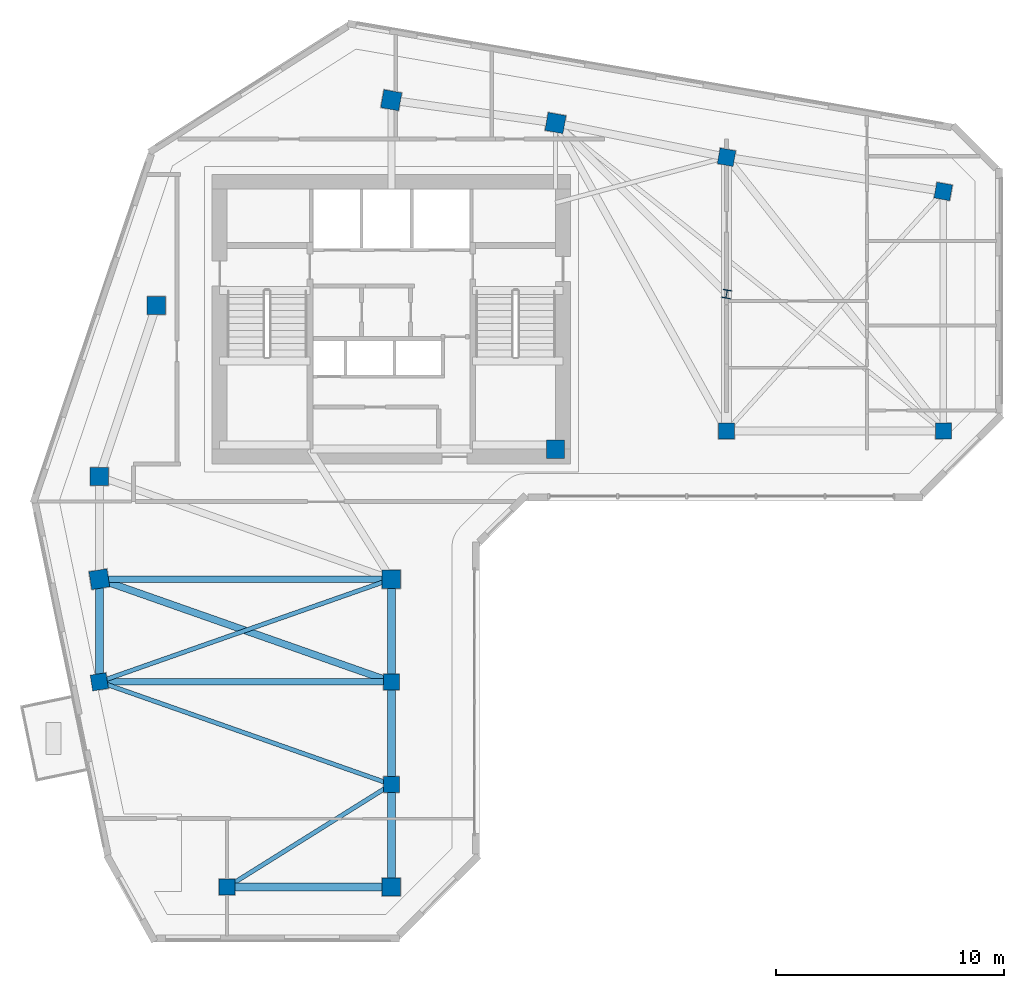
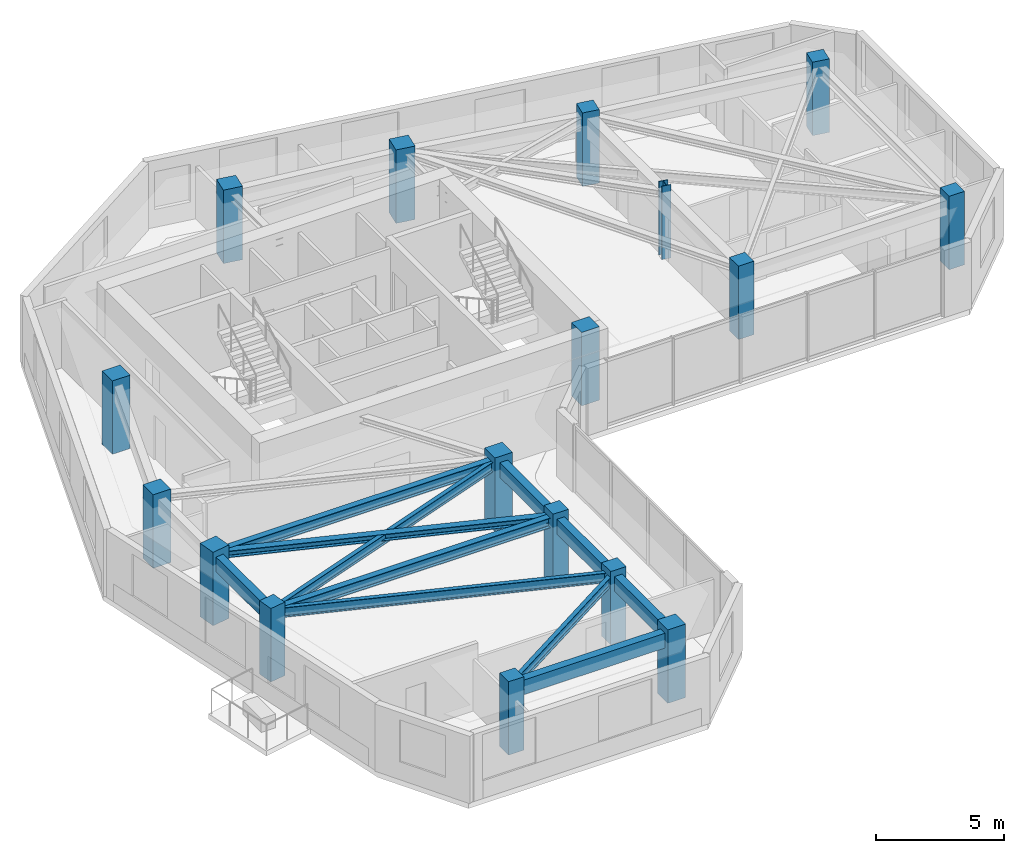
# One storey, part 1 of 10: 17 columns, 11 beams.
"""IFC4 building model written with IfcOpenShell, lengths in metres."""

from ifc_helpers import new_model, si_unit, direction, frame, origin, origin_2d, place, context, subcontext, project, spatial, rectangle, i_section, extrude, source, transform, mapped, material, material_profile, profile_set, type_object, element, save


model = new_model("IFC4")

# Units and contexts
model_context = context("Model", 3, precision=1e-05, world=origin(), true_north=direction((0.0, 1.0)))
body_context = subcontext(model_context, "Body", "Model", "MODEL_VIEW")
ifc_project = project(units=[si_unit("LENGTHUNIT", "METRE"), si_unit("AREAUNIT", "SQUARE_METRE"), si_unit("VOLUMEUNIT", "CUBIC_METRE"), si_unit("PLANEANGLEUNIT", "RADIAN"), si_unit("MASSUNIT", "GRAM", prefix="KILO")], contexts=[model_context])

# Site, building, storey
site_placement = place(None, origin())
site = spatial("IfcSite", under=ifc_project, at=site_placement, CompositionType="ELEMENT")
building_placement = place(site_placement, origin())
building = spatial("IfcBuilding", under=site, at=building_placement, Name="Calvemar Wedge Station Tower", CompositionType="ELEMENT")
storey_placement = place(building_placement, frame((0.0, 0.0, 207.89990234375)))
storey = spatial("IfcBuildingStorey", under=building, at=storey_placement, Name="L52", CompositionType="ELEMENT", Elevation=207.89990234375)

# Columns
ifc_material_1 = material(Name="Concrete C50", Category="concrete")
ifc_material_profile_1 = material_profile(ifc_material_1, rectangle(XDim=0.800048828125, YDim=0.800048828125, at=origin_2d()), Name="RC800x800")
ifc_profile_set_1 = profile_set([ifc_material_profile_1], Name="Concrete C50")
column_type_1 = type_object("IfcColumnType", Name="COL-C6-800", PredefinedType="COLUMN", material=ifc_profile_set_1)
shared_shape_1 = source(origin(), body_context, "Body", "SweptSolid", [
    extrude(rectangle(XDim=0.800048828125, YDim=0.800048828125, at=origin_2d()), origin(), (0.0, 0.0, 1.0), 3.5),
])
for number, where, z_axis, x_axis, name in (
    (1, (11.0, 33.0, 0.0), (0.0, 0.0, 1.0), (1.0, 0.0, 0.0), "Storey L52 Column T-NW1"),
    (2, (13.5, 40.5, 0.0), (0.0, 0.0, 1.0), (1.0, 0.0, 0.0), "Storey L52 Column T-NW2"),
    (3, (23.800048828125, 49.5, 0.0), (0.0, 0.0, 1.0), (0.984195607969, -0.17708474032, 0.0), "Storey L52 Column T-N1"),
    (4, (31.0, 48.5, 0.0), (0.0, 0.0, 1.0), (0.984195607969, -0.17708474032, 0.0), "Storey L52 Column T-N2"),
    (5, (31.0, 34.199951171875, 0.0), (0.0, 0.0, 1.0), (1.0, 0.0, 0.0), "Storey L52 Column T-NL1"),
    (6, (11.0, 28.5, 0.0), (0.0, 0.0, 1.0), (0.158158067254, -0.987413806751, 0.0), "Storey L52 Column T-SW1"),
    (7, (23.800048828125, 28.5, 0.0), (0.0, 0.0, 1.0), (1.0, 0.0, 0.0), "Storey L52 Column T-SE1"),
    (8, (23.800048828125, 15.0, 0.0), (0.0, 0.0, 1.0), (1.0, 0.0, 0.0), "Storey L52 Column T-SE4"),
):
    element("IfcColumn", number, at=place(storey_placement, frame(where, z_axis=z_axis, x_axis=x_axis)), inside=storey, type_object=column_type_1, Name=name, PredefinedType="COLUMN", context=body_context, shape_type="MappedRepresentation", body=[
        mapped(shared_shape_1, transform((0.0, 0.0, 0.0), scale=1.0)),
    ])
ifc_material_profile_2 = material_profile(ifc_material_1, rectangle(XDim=0.699951171875, YDim=0.699951171875, at=origin_2d()), Name="RC700x700")
ifc_profile_set_2 = profile_set([ifc_material_profile_2], Name="Concrete C50")
column_type_2 = type_object("IfcColumnType", Name="COL-C7-700", PredefinedType="COLUMN", material=ifc_profile_set_2)
shared_shape_2 = source(origin(), body_context, "Body", "SweptSolid", [
    extrude(rectangle(XDim=0.699951171875, YDim=0.699951171875, at=origin_2d()), origin(), (0.0, 0.0, 1.0), 3.5),
])
for number, where, z_axis, x_axis, name in (
    (9, (38.5, 47.0, 0.0), (0.0, 0.0, 1.0), (0.984195607969, -0.17708474032, 0.0), "Storey L52 Column T-NU3"),
    (10, (48.0, 45.5, 0.0), (0.0, 0.0, 1.0), (0.984195607969, -0.17708474032, 0.0), "Storey L52 Column T-NU4"),
    (11, (38.5, 35.0, 0.0), (0.0, 0.0, 1.0), (1.0, 0.0, 0.0), "Storey L52 Column T-NL2"),
    (12, (48.0, 35.0, 0.0), (0.0, 0.0, 1.0), (1.0, 0.0, 0.0), "Storey L52 Column T-NL3"),
    (13, (11.0, 24.0, 0.0), (0.0, 0.0, 1.0), (0.158158067254, -0.987413806751, 0.0), "Storey L52 Column T-SW2"),
    (14, (23.800048828125, 24.0, 0.0), (0.0, 0.0, 1.0), (1.0, 0.0, 0.0), "Storey L52 Column T-SE2"),
    (15, (23.800048828125, 19.5, 0.0), (0.0, 0.0, 1.0), (1.0, 0.0, 0.0), "Storey L52 Column T-SE3"),
    (16, (16.60009765625, 15.0, 0.0), (0.0, 0.0, 1.0), (1.0, 0.0, 0.0), "Storey L52 Column T-SM1"),
):
    element("IfcColumn", number, at=place(storey_placement, frame(where, z_axis=z_axis, x_axis=x_axis)), inside=storey, type_object=column_type_2, Name=name, PredefinedType="COLUMN", context=body_context, shape_type="MappedRepresentation", body=[
        mapped(shared_shape_2, transform((0.0, 0.0, 0.0), scale=1.0)),
    ])
ifc_material_2 = material(Name="Structural steel ASTM A572 Grade 50", Category="steel")
ifc_material_profile_3 = material_profile(ifc_material_2, i_section(OverallWidth=0.3740234375, OverallDepth=0.3720703125, WebThickness=0.016357421875, FlangeThickness=0.026123046875, FilletRadius=0.014892578125, at=origin_2d()), Name="W360x196")
ifc_profile_set_3 = profile_set([ifc_material_profile_3], Name="Structural steel ASTM A572 Grade 50")
column_type_3 = type_object("IfcColumnType", Name="COL-STL-W360", PredefinedType="COLUMN", material=ifc_profile_set_3)
shared_shape_3 = source(origin(), body_context, "Body", "SweptSolid", [
    extrude(i_section(OverallWidth=0.3740234375, OverallDepth=0.3720703125, WebThickness=0.016357421875, FlangeThickness=0.026123046875, FilletRadius=0.014892578125, at=origin_2d()), origin(), (0.0, 0.0, 1.0), 3.5),
])
column_placement = place(storey_placement, frame((38.5, 41.0, 0.0), z_axis=(0.0, 0.0, 1.0), x_axis=(0.984195607969, -0.17708474032, 0.0)))
element("IfcColumn", 17, at=column_placement, inside=storey, type_object=column_type_3, Name="Storey L52 Column T-NTIP-B", PredefinedType="COLUMN", context=body_context, shape_type="MappedRepresentation", body=[
    mapped(shared_shape_3, transform((0.0, 0.0, 0.0), scale=1.0)),
])

# Beams
ifc_material_profile_4 = material_profile(ifc_material_2, i_section(OverallWidth=0.30908203125, OverallDepth=0.322998046875, WebThickness=0.013916015625, FlangeThickness=0.02294921875, FilletRadius=0.014892578125, at=origin_2d()), Name="W310x143")
ifc_profile_set_4 = profile_set([ifc_material_profile_4], Name="Structural steel ASTM A572 Grade 50")
beam_type_1 = type_object("IfcBeamType", Name="BM-J5-W310H", PredefinedType="JOIST", material=ifc_profile_set_4)
shared_shape_4 = source(origin(), body_context, "Body", "SweptSolid", [
    extrude(i_section(OverallWidth=0.30908203125, OverallDepth=0.322998046875, WebThickness=0.013916015625, FlangeThickness=0.02294921875, FilletRadius=0.014892578125, at=origin_2d()), origin(), (0.0, 0.0, 1.0), 13.568115234375),
])
beam_1_placement = place(storey_placement, frame((11.0, 28.5, 3.03857421875), z_axis=(0.943398221169, -0.331662171939, 0.0), x_axis=(0.331662171939, 0.943398221169, 0.0)))
element("IfcBeam", 18, at=beam_1_placement, inside=storey, type_object=beam_type_1, Name="Storey L52 Floor Beam T-SW1-T-SE2", PredefinedType="JOIST", context=body_context, shape_type="MappedRepresentation", body=[
    mapped(shared_shape_4, transform((0.0, 0.0, 0.0), scale=1.0)),
])
ifc_material_profile_5 = material_profile(ifc_material_2, i_section(OverallWidth=0.19189453125, OverallDepth=0.462890625, WebThickness=0.010498046875, FlangeThickness=0.017578125, FilletRadius=0.012939453125, at=origin_2d()), Name="W460x89")
ifc_profile_set_5 = profile_set([ifc_material_profile_5], Name="Structural steel ASTM A572 Grade 50")
beam_type_2 = type_object("IfcBeamType", Name="BM-J1-W460", PredefinedType="JOIST", material=ifc_profile_set_5)
shared_shape_5 = source(origin(), body_context, "Body", "SweptSolid", [
    extrude(i_section(OverallWidth=0.19189453125, OverallDepth=0.462890625, WebThickness=0.010498046875, FlangeThickness=0.017578125, FilletRadius=0.012939453125, at=origin_2d()), origin(), (0.0, 0.0, 1.0), 13.568115234375),
])
for number, where, z_axis, x_axis, name in (
    (19, (23.800048828125, 28.5, 2.968505859375), (-0.943398221169, -0.331662171939, 0.0), (0.331662171939, -0.943398221169, 0.0), "Storey L52 Floor Beam T-SE1-T-SW2"),
    (20, (11.0, 24.0, 2.968505859375), (0.943398221169, -0.331662171939, 0.0), (0.331662171939, 0.943398221169, 0.0), "Storey L52 Floor Beam T-SW2-T-SE3"),
):
    element("IfcBeam", number, at=place(storey_placement, frame(where, z_axis=z_axis, x_axis=x_axis)), inside=storey, type_object=beam_type_2, Name=name, PredefinedType="JOIST", context=body_context, shape_type="MappedRepresentation", body=[
        mapped(shared_shape_5, transform((0.0, 0.0, 0.0), scale=1.0)),
    ])
shared_shape_6 = source(origin(), body_context, "Body", "SweptSolid", [
    extrude(i_section(OverallWidth=0.19189453125, OverallDepth=0.462890625, WebThickness=0.010498046875, FlangeThickness=0.017578125, FilletRadius=0.012939453125, at=origin_2d()), origin(), (0.0, 0.0, 1.0), 8.490478515625),
])
beam_2_placement = place(storey_placement, frame((23.800048828125, 19.5, 2.968505859375), z_axis=(-0.847996688584, -0.530001524668, 0.0), x_axis=(0.530001524668, -0.847996688584, 0.0)))
element("IfcBeam", 21, at=beam_2_placement, inside=storey, type_object=beam_type_2, Name="Storey L52 Floor Beam T-SE3-T-SM1", PredefinedType="JOIST", context=body_context, shape_type="MappedRepresentation", body=[
    mapped(shared_shape_6, transform((0.0, 0.0, 0.0), scale=1.0)),
])
ifc_material_profile_6 = material_profile(ifc_material_1, rectangle(XDim=0.35009765625, YDim=0.699951171875, at=origin_2d()), Name="RC350x700")
ifc_profile_set_6 = profile_set([ifc_material_profile_6], Name="Concrete C50")
beam_type_3 = type_object("IfcBeamType", Name="BM-SP2-700", PredefinedType="SPANDREL", material=ifc_profile_set_6)
shared_shape_7 = source(origin(), body_context, "Body", "SweptSolid", [
    extrude(rectangle(XDim=0.35009765625, YDim=0.699951171875, at=origin_2d()), origin(), (0.0, 0.0, 1.0), 4.5),
])
for number, where, z_axis, x_axis, name in (
    (22, (11.0, 28.5, 2.85009765625), (0.0, -1.0, 0.0), (1.0, 0.0, 0.0), "Storey L52 Spandrel T-SW1-T-SW2"),
    (23, (23.800048828125, 28.5, 2.85009765625), (0.0, -1.0, 0.0), (1.0, 0.0, 0.0), "Storey L52 Spandrel T-SE1-T-SE2"),
    (24, (23.800048828125, 24.0, 2.85009765625), (0.0, -1.0, 0.0), (1.0, 0.0, 0.0), "Storey L52 Spandrel T-SE2-T-SE3"),
    (25, (23.800048828125, 19.5, 2.85009765625), (0.0, -1.0, 0.0), (1.0, 0.0, 0.0), "Storey L52 Spandrel T-SE3-T-SE4"),
):
    element("IfcBeam", number, at=place(storey_placement, frame(where, z_axis=z_axis, x_axis=x_axis)), inside=storey, type_object=beam_type_3, Name=name, PredefinedType="SPANDREL", context=body_context, shape_type="MappedRepresentation", body=[
        mapped(shared_shape_7, transform((0.0, 0.0, 0.0), scale=1.0)),
    ])
shared_shape_8 = source(origin(), body_context, "Body", "SweptSolid", [
    extrude(rectangle(XDim=0.35009765625, YDim=0.699951171875, at=origin_2d()), origin(), (0.0, 0.0, 1.0), 7.199951171875),
])
beam_3_placement = place(storey_placement, frame((16.60009765625, 15.0, 2.85009765625), z_axis=(1.0, 0.0, 0.0), x_axis=(0.0, 1.0, 0.0)))
element("IfcBeam", 26, at=beam_3_placement, inside=storey, type_object=beam_type_3, Name="Storey L52 Spandrel T-SM1-T-SE4", PredefinedType="SPANDREL", context=body_context, shape_type="MappedRepresentation", body=[
    mapped(shared_shape_8, transform((0.0, 0.0, 0.0), scale=1.0)),
])
ifc_material_profile_7 = material_profile(ifc_material_2, i_section(OverallWidth=0.283935546875, OverallDepth=0.47607421875, WebThickness=0.014892578125, FlangeThickness=0.02392578125, FilletRadius=0.014892578125, at=origin_2d()), Name="W460x158")
ifc_profile_set_7 = profile_set([ifc_material_profile_7], Name="Structural steel ASTM A572 Grade 50")
beam_type_4 = type_object("IfcBeamType", Name="BM-SB5-W460H", PredefinedType="BEAM", material=ifc_profile_set_7)
shared_shape_9 = source(origin(), body_context, "Body", "SweptSolid", [
    extrude(i_section(OverallWidth=0.283935546875, OverallDepth=0.47607421875, WebThickness=0.014892578125, FlangeThickness=0.02392578125, FilletRadius=0.014892578125, at=origin_2d()), origin(), (0.0, 0.0, 1.0), 12.800048828125),
])
for number, where, z_axis, x_axis, name in (
    (27, (11.0, 28.5, 2.962158203125), (1.0, 0.0, 0.0), (0.0, 1.0, 0.0), "Storey L52 Floor Beam T-SW1-T-SE1"),
    (28, (11.0, 24.0, 2.962158203125), (1.0, 0.0, 0.0), (0.0, 1.0, 0.0), "Storey L52 Floor Beam T-SW2-T-SE2"),
):
    element("IfcBeam", number, at=place(storey_placement, frame(where, z_axis=z_axis, x_axis=x_axis)), inside=storey, type_object=beam_type_4, Name=name, PredefinedType="BEAM", context=body_context, shape_type="MappedRepresentation", body=[
        mapped(shared_shape_9, transform((0.0, 0.0, 0.0), scale=1.0)),
    ])

save(model, "model.ifc")
